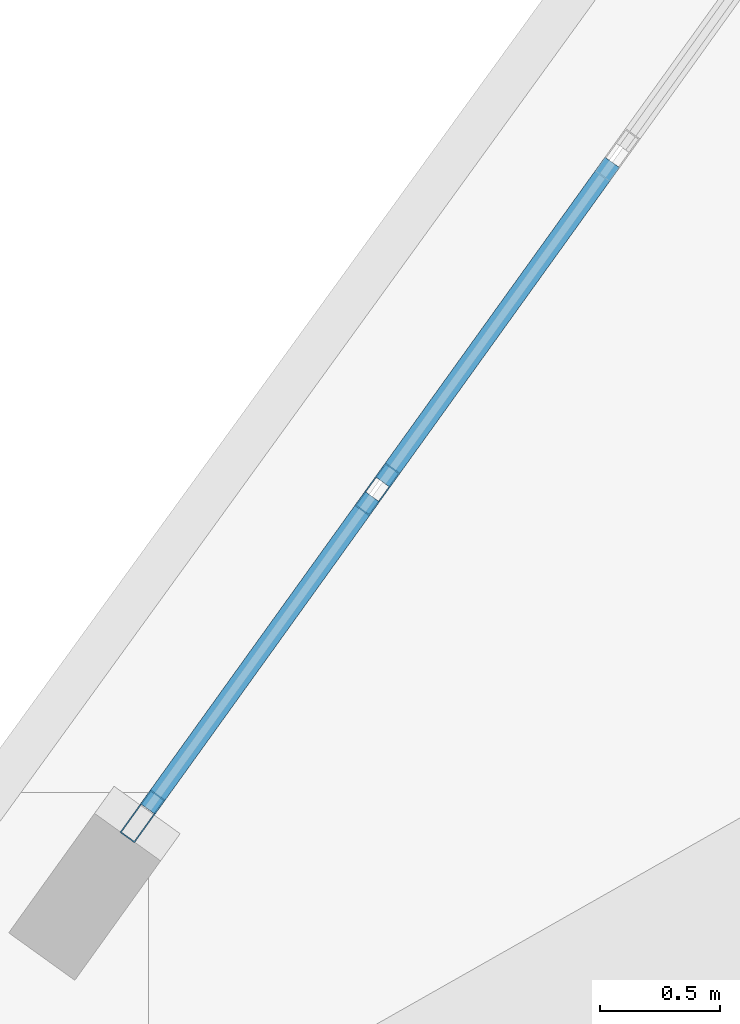
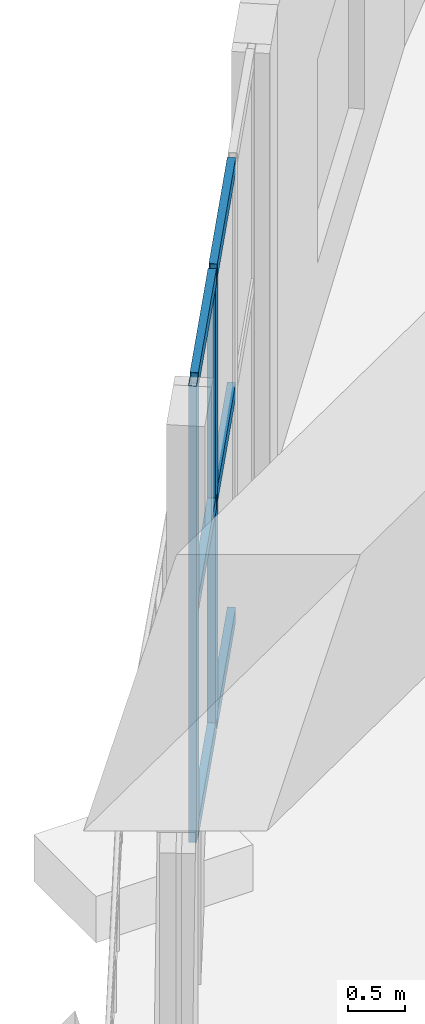
# One storey, part 6 of 19: 8 members, 1 element without a shape of its own.
"""IFC4 building model written with IfcOpenShell, lengths in metres."""

from ifc_helpers import new_model, si_unit, direction, frame, origin, origin_2d, place, context, subcontext, project, spatial, hollow_rectangle, extrude, material, layer, layer_set, material_profile, profile_set, type_object, element, aggregate, save


model = new_model("IFC4")

# Units and contexts
model_context = context("Model", 3, precision=1e-05, world=origin(), true_north=direction((0.0, 1.0)))
body_context = subcontext(model_context, "Body", "Model", "MODEL_VIEW")
ifc_project = project(units=[si_unit("LENGTHUNIT", "METRE"), si_unit("AREAUNIT", "SQUARE_METRE"), si_unit("VOLUMEUNIT", "CUBIC_METRE"), si_unit("PLANEANGLEUNIT", "RADIAN"), si_unit("MASSUNIT", "GRAM", prefix="KILO")], contexts=[model_context])

# Site, building, storey
site_placement = place(None, origin())
site = spatial("IfcSite", under=ifc_project, at=site_placement, CompositionType="ELEMENT")
building_placement = place(site_placement, origin())
building = spatial("IfcBuilding", under=site, at=building_placement, Name="Miruveldt Soraemaru", CompositionType="ELEMENT")
storey_placement = place(building_placement, frame((0.0, 0.0, 24.0)))
storey = spatial("IfcBuildingStorey", under=building, at=storey_placement, Name="L06", CompositionType="ELEMENT", Elevation=24.0)

# Curtain wall, members
ifc_material = material(Name="Anodised aluminium EN AW-6063 T6", Category="aluminium")
ifc_layer = layer(ifc_material, 0.219970703125, Name="Anodised aluminium EN AW-6063 T6", Category="aluminium")
ifc_layer_set = layer_set([ifc_layer], Name="Anodised aluminium EN AW-6063 T6")
curtain_wall_type = type_object("IfcCurtainWallType", Name="CW-SYS-2", PredefinedType="USERDEFINED", material=ifc_layer_set)
curtain_wall_placement = place(storey_placement, origin())
curtain_wall = element("IfcCurtainWall", 1, at=curtain_wall_placement, inside=storey, type_object=curtain_wall_type, Name="L06 Curtain Wall Bay 9", ObjectType="STOREFRONT", PredefinedType="USERDEFINED")
ifc_material_profile_1 = material_profile(ifc_material, hollow_rectangle(XDim=0.074951171875, YDim=0.219970703125, WallThickness=0.0048828125, at=origin_2d()), Name="Anodised aluminium EN AW-6063 T6", Category="aluminium")
ifc_profile_set_1 = profile_set([ifc_material_profile_1], Name="Anodised aluminium EN AW-6063 T6")
member_type_1 = type_object("IfcMemberType", Name="CWM-2", PredefinedType="MULLION", material=ifc_profile_set_1)
member_1_placement = place(storey_placement, frame((28.39794921875, 61.387939453125, 0.0), z_axis=(0.0, 0.0, 1.0), x_axis=(0.812183718454, -0.583401754779, 0.0)))
member_1 = element("IfcMember", 2, at=member_1_placement, type_object=member_type_1, Name="CW-2 mullion 3", PredefinedType="MULLION", context=body_context, shape_type="SweptSolid", body=[
    extrude(hollow_rectangle(XDim=0.074951171875, YDim=0.219970703125, WallThickness=0.0048828125, at=origin_2d()), origin(), (0.0, 0.0, 1.0), 4.925048828125),
])
member_2_placement = place(storey_placement, frame((27.415771484375, 60.020751953125, 0.0), z_axis=(0.0, 0.0, 1.0), x_axis=(0.812183718454, -0.583401754779, 0.0)))
member_2 = element("IfcMember", 3, at=member_2_placement, type_object=member_type_1, Name="CW-2 mullion 4", PredefinedType="MULLION", context=body_context, shape_type="SweptSolid", body=[
    extrude(hollow_rectangle(XDim=0.074951171875, YDim=0.219970703125, WallThickness=0.0048828125, at=origin_2d()), origin(), (0.0, 0.0, 1.0), 4.925048828125),
])
ifc_material_profile_2 = material_profile(ifc_material, hollow_rectangle(XDim=0.074951171875, YDim=0.1650390625, WallThickness=0.00390625, at=origin_2d()), Name="Anodised aluminium EN AW-6063 T6", Category="aluminium")
ifc_profile_set_2 = profile_set([ifc_material_profile_2], Name="Anodised aluminium EN AW-6063 T6")
member_type_2 = type_object("IfcMemberType", Name="CWT-2", PredefinedType="USERDEFINED", material=ifc_profile_set_2)
member_3_placement = place(storey_placement, frame((29.380126953125, 62.75537109375, 0.03759765625), z_axis=(-0.583354839132, -0.812217416497, 0.0), x_axis=(0.812217416497, -0.583354839132, 0.0)))
member_3 = element("IfcMember", 4, at=member_3_placement, type_object=member_type_2, Name="CW-2 transom 2.1", ObjectType="TRANSOM", PredefinedType="USERDEFINED", context=body_context, shape_type="SweptSolid", body=[
    extrude(hollow_rectangle(XDim=0.074951171875, YDim=0.1650390625, WallThickness=0.00390625, at=origin_2d()), origin(), (0.0, 0.0, 1.0), 1.64599609375),
])
member_4_placement = place(storey_placement, frame((29.380126953125, 62.75537109375, 2.46240234375), z_axis=(-0.583354839132, -0.812217416497, 0.0), x_axis=(0.812217416497, -0.583354839132, 0.0)))
member_4 = element("IfcMember", 5, at=member_4_placement, type_object=member_type_2, Name="CW-2 transom 2.2", ObjectType="TRANSOM", PredefinedType="USERDEFINED", context=body_context, shape_type="SweptSolid", body=[
    extrude(hollow_rectangle(XDim=0.074951171875, YDim=0.1650390625, WallThickness=0.00390625, at=origin_2d()), origin(), (0.0, 0.0, 1.0), 1.64599609375),
])
member_5_placement = place(storey_placement, frame((29.380126953125, 62.75537109375, 4.887451171875), z_axis=(-0.583354839132, -0.812217416497, 0.0), x_axis=(0.812217416497, -0.583354839132, 0.0)))
member_5 = element("IfcMember", 6, at=member_5_placement, type_object=member_type_2, Name="CW-2 transom 2.3", ObjectType="TRANSOM", PredefinedType="USERDEFINED", context=body_context, shape_type="SweptSolid", body=[
    extrude(hollow_rectangle(XDim=0.074951171875, YDim=0.1650390625, WallThickness=0.00390625, at=origin_2d()), origin(), (0.0, 0.0, 1.0), 1.64599609375),
])
member_6_placement = place(storey_placement, frame((28.376220703125, 61.357421875, 0.03759765625), z_axis=(-0.583432747687, -0.812161454962, 0.0), x_axis=(0.812161454962, -0.583432747687, 0.0)))
member_6 = element("IfcMember", 7, at=member_6_placement, type_object=member_type_2, Name="CW-2 transom 3.1", ObjectType="TRANSOM", PredefinedType="USERDEFINED", context=body_context, shape_type="SweptSolid", body=[
    extrude(hollow_rectangle(XDim=0.074951171875, YDim=0.1650390625, WallThickness=0.00390625, at=origin_2d()), origin(), (0.0, 0.0, 1.0), 1.608642578125),
])
member_7_placement = place(storey_placement, frame((28.376220703125, 61.357421875, 2.46240234375), z_axis=(-0.583432747687, -0.812161454962, 0.0), x_axis=(0.812161454962, -0.583432747687, 0.0)))
member_7 = element("IfcMember", 8, at=member_7_placement, type_object=member_type_2, Name="CW-2 transom 3.2", ObjectType="TRANSOM", PredefinedType="USERDEFINED", context=body_context, shape_type="SweptSolid", body=[
    extrude(hollow_rectangle(XDim=0.074951171875, YDim=0.1650390625, WallThickness=0.00390625, at=origin_2d()), origin(), (0.0, 0.0, 1.0), 1.608642578125),
])
member_8_placement = place(storey_placement, frame((28.376220703125, 61.357421875, 4.887451171875), z_axis=(-0.583432747687, -0.812161454962, 0.0), x_axis=(0.812161454962, -0.583432747687, 0.0)))
member_8 = element("IfcMember", 9, at=member_8_placement, type_object=member_type_2, Name="CW-2 transom 3.3", ObjectType="TRANSOM", PredefinedType="USERDEFINED", context=body_context, shape_type="SweptSolid", body=[
    extrude(hollow_rectangle(XDim=0.074951171875, YDim=0.1650390625, WallThickness=0.00390625, at=origin_2d()), origin(), (0.0, 0.0, 1.0), 1.608642578125),
])
aggregate(curtain_wall, [member_1, member_2, member_3, member_4, member_5, member_6, member_7, member_8])

save(model, "model.ifc")
